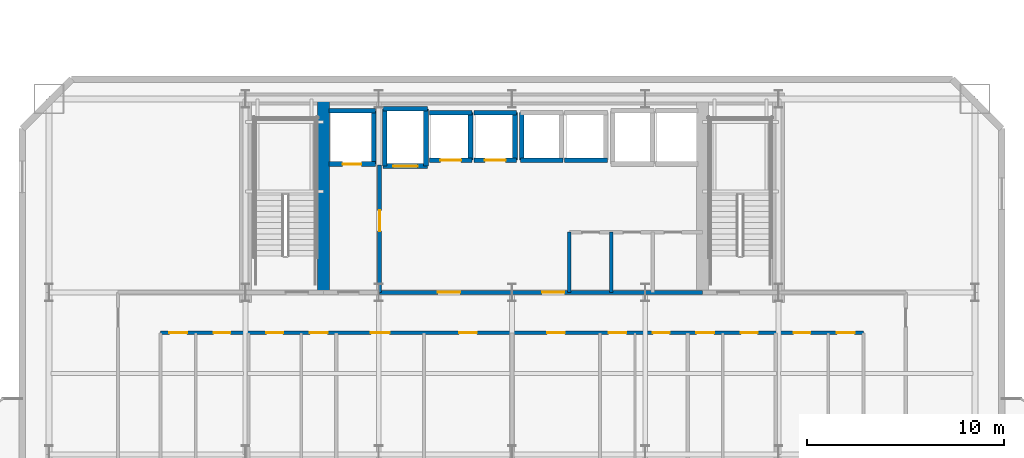
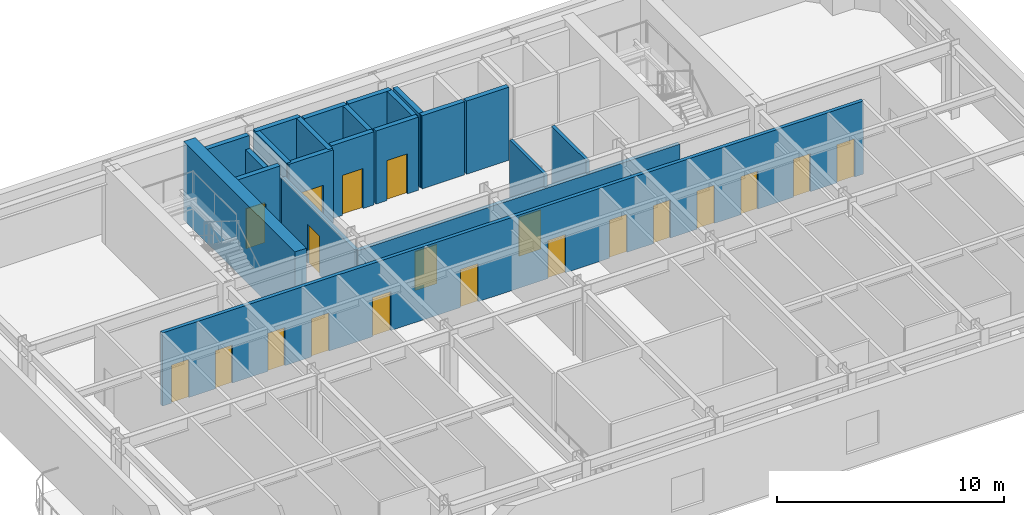
# One storey, part 6 of 15: 22 walls, 20 doors, 20 openings.
"""IFC4 building model written with IfcOpenShell, lengths in metres."""

from ifc_helpers import new_model, si_unit, direction, frame, frame_2d, origin, place, context, subcontext, project, spatial, rectangle, extrude, material, layer, layer_set, type_object, element, fill, save


model = new_model("IFC4")

# Units and contexts
model_context = context("Model", 3, precision=1e-05, world=origin(), true_north=direction((0.0, 1.0)))
body_context = subcontext(model_context, "Body", "Model", "MODEL_VIEW")
ifc_project = project(units=[si_unit("LENGTHUNIT", "METRE"), si_unit("AREAUNIT", "SQUARE_METRE"), si_unit("VOLUMEUNIT", "CUBIC_METRE"), si_unit("PLANEANGLEUNIT", "RADIAN"), si_unit("MASSUNIT", "GRAM", prefix="KILO")], contexts=[model_context])

# Site, building, storey
site_placement = place(None, origin())
site = spatial("IfcSite", under=ifc_project, at=site_placement, CompositionType="ELEMENT")
building_placement = place(site_placement, origin())
building = spatial("IfcBuilding", under=site, at=building_placement, Name="Haevon Station Towers", CompositionType="ELEMENT")
storey_placement = place(building_placement, frame((0.0, 0.0, 73.5)))
storey = spatial("IfcBuildingStorey", under=building, at=storey_placement, Name="L19", CompositionType="ELEMENT", Elevation=73.5)

# Wall, openings, doors
ifc_material_1 = material(Name="Gypsum board on steel stud", Category="steel")
ifc_layer_1 = layer(ifc_material_1, 0.179931640625)
ifc_layer_set_1 = layer_set([ifc_layer_1], Name="Gypsum board on steel stud")
wall_type_1 = type_object("IfcWallType", Name="WL-ACU180", PredefinedType="PARTITIONING", material=ifc_layer_set_1)
wall_1_placement = place(storey_placement, frame((19.699951171875, 36.14990234375, 0.0), z_axis=(0.0, 0.0, 1.0), x_axis=(1.0, 0.0, 0.0)))
wall_1 = element("IfcWall", 1, at=wall_1_placement, inside=storey, type_object=wall_type_1, Name="WL-T1PT-L19-30", PredefinedType="PARTITIONING", context=body_context, shape_type="SweptSolid", body=[
    extrude(rectangle(XDim=35.60009765625, YDim=0.179931640625, at=frame_2d((17.800048828125, 0.0))), origin(), (0.0, 0.0, 1.0), 3.929931640625),
])
opening_1_placement = place(wall_1_placement, frame((2.68994140625, 0.0, 0.0)))
opening_1 = element("IfcOpeningElement", 2, at=opening_1_placement, cuts=wall_1, Name="Opening DR-WL-T1PT-L19-30-01", PredefinedType="OPENING", context=body_context, shape_type="SweptSolid", body=[
    extrude(rectangle(XDim=0.85009765625, YDim=2.050048828125, at=frame_2d((0.425048828125, 1.02490234375))), frame((0.0, 0.099853515625, 0.0), z_axis=(0.0, -1.0, 0.0), x_axis=(1.0, 0.0, 0.0)), (0.0, 0.0, 1.0), 0.199951171875),
])
opening_2_placement = place(wall_1_placement, frame((0.43994140625, 0.0, 0.0)))
opening_2 = element("IfcOpeningElement", 3, at=opening_2_placement, cuts=wall_1, Name="Opening DR-WL-T1PT-L19-30-02", PredefinedType="OPENING", context=body_context, shape_type="SweptSolid", body=[
    extrude(rectangle(XDim=0.89990234375, YDim=2.050048828125, at=frame_2d((0.449951171875, 1.02490234375))), frame((0.0, 0.099853515625, 0.0), z_axis=(0.0, -1.0, 0.0), x_axis=(1.0, 0.0, 0.0)), (0.0, 0.0, 1.0), 0.199951171875),
])
opening_3_placement = place(wall_1_placement, frame((5.360107421875, 0.0, 0.0)))
opening_3 = element("IfcOpeningElement", 4, at=opening_3_placement, cuts=wall_1, Name="Opening DR-WL-T1PT-L19-30-03", PredefinedType="OPENING", context=body_context, shape_type="SweptSolid", body=[
    extrude(rectangle(XDim=0.85009765625, YDim=2.050048828125, at=frame_2d((0.425048828125, 1.02490234375))), frame((0.0, 0.099853515625, 0.0), z_axis=(0.0, -1.0, 0.0), x_axis=(1.0, 0.0, 0.0)), (0.0, 0.0, 1.0), 0.199951171875),
])
opening_4_placement = place(wall_1_placement, frame((7.56005859375, 0.0, 0.0)))
opening_4 = element("IfcOpeningElement", 5, at=opening_4_placement, cuts=wall_1, Name="Opening DR-WL-T1PT-L19-30-04", PredefinedType="OPENING", context=body_context, shape_type="SweptSolid", body=[
    extrude(rectangle(XDim=0.89990234375, YDim=2.050048828125, at=frame_2d((0.449951171875, 1.02490234375))), frame((0.0, 0.099853515625, 0.0), z_axis=(0.0, -1.0, 0.0), x_axis=(1.0, 0.0, 0.0)), (0.0, 0.0, 1.0), 0.199951171875),
])
opening_5_placement = place(wall_1_placement, frame((10.64990234375, 0.0, 0.0)))
opening_5 = element("IfcOpeningElement", 6, at=opening_5_placement, cuts=wall_1, Name="Opening DR-WL-T1PT-L19-30-05", PredefinedType="OPENING", context=body_context, shape_type="SweptSolid", body=[
    extrude(rectangle(XDim=0.949951171875, YDim=2.10009765625, at=frame_2d((0.47509765625, 1.050048828125))), frame((0.0, 0.099853515625, 0.0), z_axis=(0.0, -1.0, 0.0), x_axis=(1.0, 0.0, 0.0)), (0.0, 0.0, 1.0), 0.199951171875),
])
opening_6_placement = place(wall_1_placement, frame((15.125, 0.0, 0.0)))
opening_6 = element("IfcOpeningElement", 7, at=opening_6_placement, cuts=wall_1, Name="Opening DR-WL-T1PT-L19-30-06", PredefinedType="OPENING", context=body_context, shape_type="SweptSolid", body=[
    extrude(rectangle(XDim=0.89990234375, YDim=2.050048828125, at=frame_2d((0.449951171875, 1.02490234375))), frame((0.0, 0.099853515625, 0.0), z_axis=(0.0, -1.0, 0.0), x_axis=(1.0, 0.0, 0.0)), (0.0, 0.0, 1.0), 0.199951171875),
])
opening_7_placement = place(wall_1_placement, frame((19.574951171875, 0.0, 0.0)))
opening_7 = element("IfcOpeningElement", 8, at=opening_7_placement, cuts=wall_1, Name="Opening DR-WL-T1PT-L19-30-07", PredefinedType="OPENING", context=body_context, shape_type="SweptSolid", body=[
    extrude(rectangle(XDim=0.89990234375, YDim=2.050048828125, at=frame_2d((0.449951171875, 1.02490234375))), frame((0.0, 0.099853515625, 0.0), z_axis=(0.0, -1.0, 0.0), x_axis=(1.0, 0.0, 0.0)), (0.0, 0.0, 1.0), 0.199951171875),
])
opening_8_placement = place(wall_1_placement, frame((24.93994140625, 0.0, 0.0)))
opening_8 = element("IfcOpeningElement", 9, at=opening_8_placement, cuts=wall_1, Name="Opening DR-WL-T1PT-L19-30-08", PredefinedType="OPENING", context=body_context, shape_type="SweptSolid", body=[
    extrude(rectangle(XDim=0.85009765625, YDim=2.050048828125, at=frame_2d((0.425048828125, 1.02490234375))), frame((0.0, 0.099853515625, 0.0), z_axis=(0.0, -1.0, 0.0), x_axis=(1.0, 0.0, 0.0)), (0.0, 0.0, 1.0), 0.199951171875),
])
opening_9_placement = place(wall_1_placement, frame((22.68994140625, 0.0, 0.0)))
opening_9 = element("IfcOpeningElement", 10, at=opening_9_placement, cuts=wall_1, Name="Opening DR-WL-T1PT-L19-30-09", PredefinedType="OPENING", context=body_context, shape_type="SweptSolid", body=[
    extrude(rectangle(XDim=0.89990234375, YDim=2.050048828125, at=frame_2d((0.449951171875, 1.02490234375))), frame((0.0, 0.099853515625, 0.0), z_axis=(0.0, -1.0, 0.0), x_axis=(1.0, 0.0, 0.0)), (0.0, 0.0, 1.0), 0.199951171875),
])
opening_10_placement = place(wall_1_placement, frame((29.389892578125, 0.0, 0.0)))
opening_10 = element("IfcOpeningElement", 11, at=opening_10_placement, cuts=wall_1, Name="Opening DR-WL-T1PT-L19-30-10", PredefinedType="OPENING", context=body_context, shape_type="SweptSolid", body=[
    extrude(rectangle(XDim=0.85009765625, YDim=2.050048828125, at=frame_2d((0.425048828125, 1.02490234375))), frame((0.0, 0.099853515625, 0.0), z_axis=(0.0, -1.0, 0.0), x_axis=(1.0, 0.0, 0.0)), (0.0, 0.0, 1.0), 0.199951171875),
])
opening_11_placement = place(wall_1_placement, frame((27.139892578125, 0.0, 0.0)))
opening_11 = element("IfcOpeningElement", 12, at=opening_11_placement, cuts=wall_1, Name="Opening DR-WL-T1PT-L19-30-11", PredefinedType="OPENING", context=body_context, shape_type="SweptSolid", body=[
    extrude(rectangle(XDim=0.89990234375, YDim=2.050048828125, at=frame_2d((0.449951171875, 1.02490234375))), frame((0.0, 0.099853515625, 0.0), z_axis=(0.0, -1.0, 0.0), x_axis=(1.0, 0.0, 0.0)), (0.0, 0.0, 1.0), 0.199951171875),
])
opening_12_placement = place(wall_1_placement, frame((32.06005859375, 0.0, 0.0)))
opening_12 = element("IfcOpeningElement", 13, at=opening_12_placement, cuts=wall_1, Name="Opening DR-WL-T1PT-L19-30-12", PredefinedType="OPENING", context=body_context, shape_type="SweptSolid", body=[
    extrude(rectangle(XDim=0.85009765625, YDim=2.050048828125, at=frame_2d((0.425048828125, 1.02490234375))), frame((0.0, 0.099853515625, 0.0), z_axis=(0.0, -1.0, 0.0), x_axis=(1.0, 0.0, 0.0)), (0.0, 0.0, 1.0), 0.199951171875),
])
opening_13_placement = place(wall_1_placement, frame((34.260009765625, 0.0, 0.0)))
opening_13 = element("IfcOpeningElement", 14, at=opening_13_placement, cuts=wall_1, Name="Opening DR-WL-T1PT-L19-30-13", PredefinedType="OPENING", context=body_context, shape_type="SweptSolid", body=[
    extrude(rectangle(XDim=0.89990234375, YDim=2.050048828125, at=frame_2d((0.449951171875, 1.02490234375))), frame((0.0, 0.099853515625, 0.0), z_axis=(0.0, -1.0, 0.0), x_axis=(1.0, 0.0, 0.0)), (0.0, 0.0, 1.0), 0.199951171875),
])
ifc_material_2 = material(Name="Engineered oak timber", Category="wood")
door_type_1 = type_object("IfcDoorType", Name="DR-FD30-850", OperationType="NOTDEFINED", PredefinedType="DOOR", material=ifc_material_2)
door_1_placement = place(opening_1_placement, origin())
door_1 = element("IfcDoor", 15, at=door_1_placement, inside=storey, type_object=door_type_1, Name="L19 Tower 1 Room Door 30-1", OperationType="SINGLE_SWING_RIGHT", OverallHeight=2.050048828125, OverallWidth=0.85009765625, PredefinedType="DOOR", context=body_context, shape_type="SweptSolid", body=[
    extrude(rectangle(XDim=0.85009765625, YDim=2.050048828125, at=frame_2d((0.425048828125, 1.02490234375))), frame((0.0, 0.02490234375, 0.0), z_axis=(0.0, -1.0, 0.0), x_axis=(1.0, 0.0, 0.0)), (0.0, 0.0, 1.0), 0.050048828125),
])
fill(opening_1, door_1)
door_2_placement = place(opening_3_placement, origin())
door_2 = element("IfcDoor", 16, at=door_2_placement, inside=storey, type_object=door_type_1, Name="L19 Tower 1 Room Door 30-3", OperationType="SINGLE_SWING_RIGHT", OverallHeight=2.050048828125, OverallWidth=0.85009765625, PredefinedType="DOOR", context=body_context, shape_type="SweptSolid", body=[
    extrude(rectangle(XDim=0.85009765625, YDim=2.050048828125, at=frame_2d((0.425048828125, 1.02490234375))), frame((0.0, 0.02490234375, 0.0), z_axis=(0.0, -1.0, 0.0), x_axis=(1.0, 0.0, 0.0)), (0.0, 0.0, 1.0), 0.050048828125),
])
fill(opening_3, door_2)
door_3_placement = place(opening_8_placement, origin())
door_3 = element("IfcDoor", 17, at=door_3_placement, inside=storey, type_object=door_type_1, Name="L19 Tower 1 Room Door 30-8", OperationType="SINGLE_SWING_LEFT", OverallHeight=2.050048828125, OverallWidth=0.85009765625, PredefinedType="DOOR", context=body_context, shape_type="SweptSolid", body=[
    extrude(rectangle(XDim=0.85009765625, YDim=2.050048828125, at=frame_2d((0.425048828125, 1.02490234375))), frame((0.0, 0.02490234375, 0.0), z_axis=(0.0, -1.0, 0.0), x_axis=(1.0, 0.0, 0.0)), (0.0, 0.0, 1.0), 0.050048828125),
])
fill(opening_8, door_3)
door_4_placement = place(opening_10_placement, origin())
door_4 = element("IfcDoor", 18, at=door_4_placement, inside=storey, type_object=door_type_1, Name="L19 Tower 1 Room Door 30-10", OperationType="SINGLE_SWING_LEFT", OverallHeight=2.050048828125, OverallWidth=0.85009765625, PredefinedType="DOOR", context=body_context, shape_type="SweptSolid", body=[
    extrude(rectangle(XDim=0.85009765625, YDim=2.050048828125, at=frame_2d((0.425048828125, 1.02490234375))), frame((0.0, 0.02490234375, 0.0), z_axis=(0.0, -1.0, 0.0), x_axis=(1.0, 0.0, 0.0)), (0.0, 0.0, 1.0), 0.050048828125),
])
fill(opening_10, door_4)
door_5_placement = place(opening_12_placement, origin())
door_5 = element("IfcDoor", 19, at=door_5_placement, inside=storey, type_object=door_type_1, Name="L19 Tower 1 Room Door 30-12", OperationType="SINGLE_SWING_LEFT", OverallHeight=2.050048828125, OverallWidth=0.85009765625, PredefinedType="DOOR", context=body_context, shape_type="SweptSolid", body=[
    extrude(rectangle(XDim=0.85009765625, YDim=2.050048828125, at=frame_2d((0.425048828125, 1.02490234375))), frame((0.0, 0.02490234375, 0.0), z_axis=(0.0, -1.0, 0.0), x_axis=(1.0, 0.0, 0.0)), (0.0, 0.0, 1.0), 0.050048828125),
])
fill(opening_12, door_5)
door_type_2 = type_object("IfcDoorType", Name="DR-FD30-950", OperationType="NOTDEFINED", PredefinedType="DOOR", material=ifc_material_2)
door_6_placement = place(opening_5_placement, origin())
door_6 = element("IfcDoor", 20, at=door_6_placement, inside=storey, type_object=door_type_2, Name="L19 Tower 1 Room Door 30-5", OperationType="SINGLE_SWING_RIGHT", OverallHeight=2.10009765625, OverallWidth=0.949951171875, PredefinedType="DOOR", context=body_context, shape_type="SweptSolid", body=[
    extrude(rectangle(XDim=0.949951171875, YDim=2.10009765625, at=frame_2d((0.47509765625, 1.050048828125))), frame((0.0, 0.02490234375, 0.0), z_axis=(0.0, -1.0, 0.0), x_axis=(1.0, 0.0, 0.0)), (0.0, 0.0, 1.0), 0.050048828125),
])
fill(opening_5, door_6)
door_type_3 = type_object("IfcDoorType", Name="DR-INT-900", OperationType="NOTDEFINED", PredefinedType="DOOR", material=ifc_material_2)
door_7_placement = place(opening_2_placement, origin())
door_7 = element("IfcDoor", 21, at=door_7_placement, inside=storey, type_object=door_type_3, Name="L19 Tower 1 Room Door 30-2", OperationType="SINGLE_SWING_LEFT", OverallHeight=2.050048828125, OverallWidth=0.89990234375, PredefinedType="DOOR", context=body_context, shape_type="SweptSolid", body=[
    extrude(rectangle(XDim=0.89990234375, YDim=2.050048828125, at=frame_2d((0.449951171875, 1.02490234375))), frame((0.0, 0.02490234375, 0.0), z_axis=(0.0, -1.0, 0.0), x_axis=(1.0, 0.0, 0.0)), (0.0, 0.0, 1.0), 0.050048828125),
])
fill(opening_2, door_7)
door_8_placement = place(opening_4_placement, origin())
door_8 = element("IfcDoor", 22, at=door_8_placement, inside=storey, type_object=door_type_3, Name="L19 Tower 1 Room Door 30-4", OperationType="SINGLE_SWING_LEFT", OverallHeight=2.050048828125, OverallWidth=0.89990234375, PredefinedType="DOOR", context=body_context, shape_type="SweptSolid", body=[
    extrude(rectangle(XDim=0.89990234375, YDim=2.050048828125, at=frame_2d((0.449951171875, 1.02490234375))), frame((0.0, 0.02490234375, 0.0), z_axis=(0.0, -1.0, 0.0), x_axis=(1.0, 0.0, 0.0)), (0.0, 0.0, 1.0), 0.050048828125),
])
fill(opening_4, door_8)
door_9_placement = place(opening_6_placement, origin())
door_9 = element("IfcDoor", 23, at=door_9_placement, inside=storey, type_object=door_type_3, Name="L19 Tower 1 Room Door 30-6", OperationType="SINGLE_SWING_LEFT", OverallHeight=2.050048828125, OverallWidth=0.89990234375, PredefinedType="DOOR", context=body_context, shape_type="SweptSolid", body=[
    extrude(rectangle(XDim=0.89990234375, YDim=2.050048828125, at=frame_2d((0.449951171875, 1.02490234375))), frame((0.0, 0.02490234375, 0.0), z_axis=(0.0, -1.0, 0.0), x_axis=(1.0, 0.0, 0.0)), (0.0, 0.0, 1.0), 0.050048828125),
])
fill(opening_6, door_9)
door_10_placement = place(opening_7_placement, origin())
door_10 = element("IfcDoor", 24, at=door_10_placement, inside=storey, type_object=door_type_3, Name="L19 Tower 1 Room Door 30-7", OperationType="SINGLE_SWING_RIGHT", OverallHeight=2.050048828125, OverallWidth=0.89990234375, PredefinedType="DOOR", context=body_context, shape_type="SweptSolid", body=[
    extrude(rectangle(XDim=0.89990234375, YDim=2.050048828125, at=frame_2d((0.449951171875, 1.02490234375))), frame((0.0, 0.02490234375, 0.0), z_axis=(0.0, -1.0, 0.0), x_axis=(1.0, 0.0, 0.0)), (0.0, 0.0, 1.0), 0.050048828125),
])
fill(opening_7, door_10)
door_11_placement = place(opening_9_placement, origin())
door_11 = element("IfcDoor", 25, at=door_11_placement, inside=storey, type_object=door_type_3, Name="L19 Tower 1 Room Door 30-9", OperationType="SINGLE_SWING_RIGHT", OverallHeight=2.050048828125, OverallWidth=0.89990234375, PredefinedType="DOOR", context=body_context, shape_type="SweptSolid", body=[
    extrude(rectangle(XDim=0.89990234375, YDim=2.050048828125, at=frame_2d((0.449951171875, 1.02490234375))), frame((0.0, 0.02490234375, 0.0), z_axis=(0.0, -1.0, 0.0), x_axis=(1.0, 0.0, 0.0)), (0.0, 0.0, 1.0), 0.050048828125),
])
fill(opening_9, door_11)
door_12_placement = place(opening_11_placement, origin())
door_12 = element("IfcDoor", 26, at=door_12_placement, inside=storey, type_object=door_type_3, Name="L19 Tower 1 Room Door 30-11", OperationType="SINGLE_SWING_RIGHT", OverallHeight=2.050048828125, OverallWidth=0.89990234375, PredefinedType="DOOR", context=body_context, shape_type="SweptSolid", body=[
    extrude(rectangle(XDim=0.89990234375, YDim=2.050048828125, at=frame_2d((0.449951171875, 1.02490234375))), frame((0.0, 0.02490234375, 0.0), z_axis=(0.0, -1.0, 0.0), x_axis=(1.0, 0.0, 0.0)), (0.0, 0.0, 1.0), 0.050048828125),
])
fill(opening_11, door_12)
door_13_placement = place(opening_13_placement, origin())
door_13 = element("IfcDoor", 27, at=door_13_placement, inside=storey, type_object=door_type_3, Name="L19 Tower 1 Room Door 30-13", OperationType="SINGLE_SWING_RIGHT", OverallHeight=2.050048828125, OverallWidth=0.89990234375, PredefinedType="DOOR", context=body_context, shape_type="SweptSolid", body=[
    extrude(rectangle(XDim=0.89990234375, YDim=2.050048828125, at=frame_2d((0.449951171875, 1.02490234375))), frame((0.0, 0.02490234375, 0.0), z_axis=(0.0, -1.0, 0.0), x_axis=(1.0, 0.0, 0.0)), (0.0, 0.0, 1.0), 0.050048828125),
])
fill(opening_13, door_13)

# Wall, opening, door
ifc_layer_2 = layer(ifc_material_1, 0.199951171875)
ifc_layer_set_2 = layer_set([ifc_layer_2], Name="Gypsum board on steel stud")
wall_type_2 = type_object("IfcWallType", Name="WL-COR200", PredefinedType="PARTITIONING", material=ifc_layer_set_2)
wall_2_placement = place(storey_placement, frame((30.800048828125, 38.199951171875, 0.0), z_axis=(0.0, 0.0, 1.0), x_axis=(0.0, 1.0, 0.0)))
wall_2 = element("IfcWall", 28, at=wall_2_placement, inside=storey, type_object=wall_type_2, Name="WL-T1FFL-L19-E", PredefinedType="PARTITIONING", context=body_context, shape_type="SweptSolid", body=[
    extrude(rectangle(XDim=6.449951171875, YDim=0.199951171875, at=frame_2d((3.22509765625, 0.0))), origin(), (0.0, 0.0, 1.0), 3.22998046875),
])
opening_14_placement = place(wall_2_placement, frame((3.10009765625, 0.0, 0.0)))
opening_14 = element("IfcOpeningElement", 29, at=opening_14_placement, cuts=wall_2, Name="Opening DR-T1FFL-L19-E", PredefinedType="OPENING", context=body_context, shape_type="SweptSolid", body=[
    extrude(rectangle(XDim=1.050048828125, YDim=2.10009765625, at=frame_2d((0.52490234375, 1.050048828125))), frame((0.0, 0.10986328125, 0.0), z_axis=(0.0, -1.0, 0.0), x_axis=(1.0, 0.0, 0.0)), (0.0, 0.0, 1.0), 0.219970703125),
])
door_type_4 = type_object("IfcDoorType", Name="DR-FD60-1050", OperationType="NOTDEFINED", PredefinedType="DOOR", material=ifc_material_2)
door_14_placement = place(opening_14_placement, origin())
door_14 = element("IfcDoor", 30, at=door_14_placement, inside=storey, type_object=door_type_4, Name="L19 Tower 1 Firefighting Lift Lobby Door E", OperationType="SINGLE_SWING_LEFT", OverallHeight=2.10009765625, OverallWidth=1.050048828125, PredefinedType="DOOR", context=body_context, shape_type="SweptSolid", body=[
    extrude(rectangle(XDim=1.050048828125, YDim=2.10009765625, at=frame_2d((0.52490234375, 1.050048828125))), frame((0.0, 0.02490234375, 0.0), z_axis=(0.0, -1.0, 0.0), x_axis=(1.0, 0.0, 0.0)), (0.0, 0.0, 1.0), 0.050048828125),
])
fill(opening_14, door_14)

# Wall, openings, doors
wall_3_placement = place(storey_placement, frame((30.800048828125, 38.199951171875, 0.0), z_axis=(0.0, 0.0, 1.0), x_axis=(1.0, 0.0, 0.0)))
wall_3 = element("IfcWall", 31, at=wall_3_placement, inside=storey, type_object=wall_type_2, Name="WL-T1CLB-L19", PredefinedType="PARTITIONING", context=body_context, shape_type="SweptSolid", body=[
    extrude(rectangle(XDim=16.349853515625, YDim=0.199951171875, at=frame_2d((8.1748046875, 0.0))), origin(), (0.0, 0.0, 1.0), 3.22998046875),
])
opening_15_placement = place(wall_3_placement, frame((2.949951171875, 0.0, 0.0)))
opening_15 = element("IfcOpeningElement", 32, at=opening_15_placement, cuts=wall_3, Name="Opening DR-T1CLB-L19-1", PredefinedType="OPENING", context=body_context, shape_type="SweptSolid", body=[
    extrude(rectangle(XDim=1.1201171875, YDim=2.10009765625, at=frame_2d((0.56005859375, 1.050048828125))), frame((0.0, 0.10986328125, 0.0), z_axis=(0.0, -1.0, 0.0), x_axis=(1.0, 0.0, 0.0)), (0.0, 0.0, 1.0), 0.219970703125),
])
opening_16_placement = place(wall_3_placement, frame((8.22998046875, 0.0, 0.0)))
opening_16 = element("IfcOpeningElement", 33, at=opening_16_placement, cuts=wall_3, Name="Opening DR-T1CLB-L19-2", PredefinedType="OPENING", context=body_context, shape_type="SweptSolid", body=[
    extrude(rectangle(XDim=1.1201171875, YDim=2.10009765625, at=frame_2d((0.56005859375, 1.050048828125))), frame((0.0, 0.10986328125, 0.0), z_axis=(0.0, -1.0, 0.0), x_axis=(1.0, 0.0, 0.0)), (0.0, 0.0, 1.0), 0.219970703125),
])
door_type_5 = type_object("IfcDoorType", Name="DR-ST-1120", OperationType="NOTDEFINED", PredefinedType="DOOR", material=ifc_material_2)
door_15_placement = place(opening_15_placement, origin())
door_15 = element("IfcDoor", 34, at=door_15_placement, inside=storey, type_object=door_type_5, Name="L19 Tower 1 Core Lift Lobby Door 1", OperationType="SINGLE_SWING_LEFT", OverallHeight=2.10009765625, OverallWidth=1.1201171875, PredefinedType="DOOR", context=body_context, shape_type="SweptSolid", body=[
    extrude(rectangle(XDim=1.1201171875, YDim=2.10009765625, at=frame_2d((0.56005859375, 1.050048828125))), frame((0.0, 0.02490234375, 0.0), z_axis=(0.0, -1.0, 0.0), x_axis=(1.0, 0.0, 0.0)), (0.0, 0.0, 1.0), 0.050048828125),
])
fill(opening_15, door_15)
door_16_placement = place(opening_16_placement, origin())
door_16 = element("IfcDoor", 35, at=door_16_placement, inside=storey, type_object=door_type_5, Name="L19 Tower 1 Core Lift Lobby Door 2", OperationType="SINGLE_SWING_RIGHT", OverallHeight=2.10009765625, OverallWidth=1.1201171875, PredefinedType="DOOR", context=body_context, shape_type="SweptSolid", body=[
    extrude(rectangle(XDim=1.1201171875, YDim=2.10009765625, at=frame_2d((0.56005859375, 1.050048828125))), frame((0.0, 0.02490234375, 0.0), z_axis=(0.0, -1.0, 0.0), x_axis=(1.0, 0.0, 0.0)), (0.0, 0.0, 1.0), 0.050048828125),
])
fill(opening_16, door_16)

# Walls
ifc_material_3 = material(Name="Concrete C60/75", Category="concrete")
ifc_layer_3 = layer(ifc_material_3, 0.60009765625)
ifc_layer_set_3 = layer_set([ifc_layer_3], Name="Concrete C60/75")
wall_type_3 = type_object("IfcWallType", Name="WL-CR600", PredefinedType="SHEAR", material=ifc_layer_set_3)
wall_4_placement = place(storey_placement, frame((27.949951171875, 38.199951171875, 0.0), z_axis=(0.0, 0.0, 1.0), x_axis=(0.0, 1.0, 0.0)))
element("IfcWall", 36, at=wall_4_placement, inside=storey, type_object=wall_type_3, Name="WL-T1CR-L19-M1", PredefinedType="SHEAR", context=body_context, shape_type="SweptSolid", body=[
    extrude(rectangle(XDim=9.800048828125, YDim=0.60009765625, at=frame_2d((4.89990234375, 0.0))), origin(), (0.0, 0.0, 1.0), 4.199951171875),
])
ifc_layer_4 = layer(ifc_material_1, 0.159912109375)
ifc_layer_set_4 = layer_set([ifc_layer_4], Name="Gypsum board on steel stud")
wall_type_4 = type_object("IfcWallType", Name="WL-PRT160", PredefinedType="PARTITIONING", material=ifc_layer_set_4)
for number, where, z_axis, x_axis, name in (
    (37, (40.39990234375, 38.199951171875, 0.0), (0.0, 0.0, 1.0), (0.0, 1.0, 0.0), "WL-T1CW-L19-01"),
    (38, (42.530029296875, 38.199951171875, 0.0), (0.0, 0.0, 1.0), (0.0, 1.0, 0.0), "WL-T1CW-L19-02"),
):
    element("IfcWall", number, at=place(storey_placement, frame(where, z_axis=z_axis, x_axis=x_axis)), inside=storey, type_object=wall_type_4, Name=name, PredefinedType="PARTITIONING", context=body_context, shape_type="SweptSolid", body=[
        extrude(rectangle(XDim=3.050048828125, YDim=0.159912109375, at=frame_2d((1.52490234375, 0.0))), origin(), (0.0, 0.0, 1.0), 3.929931640625),
    ])

# Wall, opening, door
ifc_material_4 = material(Name="Concrete C40/50", Category="concrete")
ifc_layer_5 = layer(ifc_material_4, 0.239990234375)
ifc_layer_set_5 = layer_set([ifc_layer_5], Name="Concrete C40/50")
wall_type_5 = type_object("IfcWallType", Name="WL-SHF240", PredefinedType="PARTITIONING", material=ifc_layer_set_5)
wall_5_placement = place(storey_placement, frame((28.219970703125, 44.699951171875, 0.0), z_axis=(0.0, 0.0, 1.0), x_axis=(1.0, 0.0, 0.0)))
wall_5 = element("IfcWall", 39, at=wall_5_placement, inside=storey, type_object=wall_type_5, Name="WL-SHF-FL1-L19", PredefinedType="PARTITIONING", context=body_context, shape_type="SweptSolid", body=[
    extrude(rectangle(XDim=2.360107421875, YDim=0.239990234375, at=frame_2d((1.18017578125, 0.0))), origin(), (0.0, 0.0, 1.0), 3.929931640625),
])
opening_17_placement = place(wall_5_placement, frame((0.705078125, 0.0, 0.0)))
opening_17 = element("IfcOpeningElement", 40, at=opening_17_placement, cuts=wall_5, Name="Opening LD-FL1-L19", PredefinedType="OPENING", context=body_context, shape_type="SweptSolid", body=[
    extrude(rectangle(XDim=0.949951171875, YDim=2.14990234375, at=frame_2d((0.47509765625, 1.074951171875))), frame((0.0, 0.1298828125, 0.0), z_axis=(0.0, -1.0, 0.0), x_axis=(1.0, 0.0, 0.0)), (0.0, 0.0, 1.0), 0.260009765625),
])
ifc_material_5 = material(Name="Stainless steel and rated core", Category="steel")
door_type_6 = type_object("IfcDoorType", Name="LD-FL950", OperationType="SLIDING_TO_LEFT", PredefinedType="DOOR", material=ifc_material_5)
door_17_placement = place(opening_17_placement, origin())
door_17 = element("IfcDoor", 41, at=door_17_placement, inside=storey, type_object=door_type_6, Name="L19 Lift FL1 Sliding Landing Door", OperationType="SLIDING_TO_LEFT", OverallHeight=2.14990234375, OverallWidth=0.949951171875, PredefinedType="DOOR", context=body_context, shape_type="SweptSolid", body=[
    extrude(rectangle(XDim=0.949951171875, YDim=2.14990234375, at=frame_2d((0.47509765625, 1.074951171875))), frame((0.0, 0.02490234375, 0.0), z_axis=(0.0, -1.0, 0.0), x_axis=(1.0, 0.0, 0.0)), (0.0, 0.0, 1.0), 0.050048828125),
])
fill(opening_17, door_17)

# Walls
wall_6_placement = place(storey_placement, frame((28.219970703125, 47.39990234375, 0.0), z_axis=(0.0, 0.0, 1.0), x_axis=(1.0, 0.0, 0.0)))
element("IfcWall", 42, at=wall_6_placement, inside=storey, type_object=wall_type_5, Name="WL-SHF-FL1-L19-N", PredefinedType="PARTITIONING", context=body_context, shape_type="SweptSolid", body=[
    extrude(rectangle(XDim=2.360107421875, YDim=0.239990234375, at=frame_2d((1.18017578125, 0.0))), origin(), (0.0, 0.0, 1.0), 3.929931640625),
])
wall_7_placement = place(storey_placement, frame((30.5, 44.699951171875, 0.0), z_axis=(0.0, 0.0, 1.0), x_axis=(0.0, 1.0, 0.0)))
element("IfcWall", 43, at=wall_7_placement, inside=storey, type_object=wall_type_5, Name="WL-SHF-FL1-L19-E", PredefinedType="PARTITIONING", context=body_context, shape_type="SweptSolid", body=[
    extrude(rectangle(XDim=2.699951171875, YDim=0.239990234375, at=frame_2d((1.35009765625, 0.0))), origin(), (0.0, 0.0, 1.0), 3.22998046875),
])

# Wall, opening, door
wall_8_placement = place(storey_placement, frame((30.969970703125, 44.60009765625, 0.0), z_axis=(0.0, 0.0, 1.0), x_axis=(1.0, 0.0, 0.0)))
wall_8 = element("IfcWall", 44, at=wall_8_placement, inside=storey, type_object=wall_type_5, Name="WL-SHF-SL1-L19", PredefinedType="PARTITIONING", context=body_context, shape_type="SweptSolid", body=[
    extrude(rectangle(XDim=2.260009765625, YDim=0.239990234375, at=frame_2d((1.1298828125, 0.0))), origin(), (0.0, 0.0, 1.0), 3.929931640625),
])
opening_18_placement = place(wall_8_placement, frame((0.5048828125, 0.0, 0.0)))
opening_18 = element("IfcOpeningElement", 45, at=opening_18_placement, cuts=wall_8, Name="Opening LD-SL1-L19", PredefinedType="OPENING", context=body_context, shape_type="SweptSolid", body=[
    extrude(rectangle(XDim=1.25, YDim=2.199951171875, at=frame_2d((0.625, 1.10009765625))), frame((0.0, 0.1298828125, 0.0), z_axis=(0.0, -1.0, 0.0), x_axis=(1.0, 0.0, 0.0)), (0.0, 0.0, 1.0), 0.260009765625),
])
door_type_7 = type_object("IfcDoorType", Name="LD-SL1250", OperationType="SLIDING_TO_LEFT", PredefinedType="DOOR", material=ifc_material_5)
door_18_placement = place(opening_18_placement, origin())
door_18 = element("IfcDoor", 46, at=door_18_placement, inside=storey, type_object=door_type_7, Name="L19 Lift SL1 Sliding Landing Door", OperationType="SLIDING_TO_LEFT", OverallHeight=2.199951171875, OverallWidth=1.25, PredefinedType="DOOR", context=body_context, shape_type="SweptSolid", body=[
    extrude(rectangle(XDim=1.25, YDim=2.199951171875, at=frame_2d((0.625, 1.10009765625))), frame((0.0, 0.02490234375, 0.0), z_axis=(0.0, -1.0, 0.0), x_axis=(1.0, 0.0, 0.0)), (0.0, 0.0, 1.0), 0.050048828125),
])
fill(opening_18, door_18)

# Walls
wall_9_placement = place(storey_placement, frame((30.969970703125, 47.5, 0.0), z_axis=(0.0, 0.0, 1.0), x_axis=(1.0, 0.0, 0.0)))
element("IfcWall", 47, at=wall_9_placement, inside=storey, type_object=wall_type_5, Name="WL-SHF-SL1-L19-N", PredefinedType="PARTITIONING", context=body_context, shape_type="SweptSolid", body=[
    extrude(rectangle(XDim=2.260009765625, YDim=0.239990234375, at=frame_2d((1.1298828125, 0.0))), origin(), (0.0, 0.0, 1.0), 3.929931640625),
])
for number, where, z_axis, x_axis, name in (
    (48, (31.050048828125, 44.60009765625, 0.0), (0.0, 0.0, 1.0), (0.0, 1.0, 0.0), "WL-SHF-SL1-L19-W"),
    (49, (33.14990234375, 44.60009765625, 0.0), (0.0, 0.0, 1.0), (0.0, 1.0, 0.0), "WL-SHF-SL1-L19-E"),
):
    element("IfcWall", number, at=place(storey_placement, frame(where, z_axis=z_axis, x_axis=x_axis)), inside=storey, type_object=wall_type_5, Name=name, PredefinedType="PARTITIONING", context=body_context, shape_type="SweptSolid", body=[
        extrude(rectangle(XDim=2.89990234375, YDim=0.239990234375, at=frame_2d((1.449951171875, 0.0))), origin(), (0.0, 0.0, 1.0), 3.929931640625),
    ])

# Wall, opening, door
wall_10_placement = place(storey_placement, frame((33.320068359375, 44.89990234375, 0.0), z_axis=(0.0, 0.0, 1.0), x_axis=(1.0, 0.0, 0.0)))
wall_10 = element("IfcWall", 50, at=wall_10_placement, inside=storey, type_object=wall_type_5, Name="WL-SHF-PL1-L19", PredefinedType="PARTITIONING", context=body_context, shape_type="SweptSolid", body=[
    extrude(rectangle(XDim=2.159912109375, YDim=0.239990234375, at=frame_2d((1.080078125, 0.0))), origin(), (0.0, 0.0, 1.0), 3.929931640625),
])
opening_19_placement = place(wall_10_placement, frame((0.554931640625, 0.0, 0.0)))
opening_19 = element("IfcOpeningElement", 51, at=opening_19_placement, cuts=wall_10, Name="Opening LD-PL1-L19", PredefinedType="OPENING", context=body_context, shape_type="SweptSolid", body=[
    extrude(rectangle(XDim=1.050048828125, YDim=2.14990234375, at=frame_2d((0.52490234375, 1.074951171875))), frame((0.0, 0.1298828125, 0.0), z_axis=(0.0, -1.0, 0.0), x_axis=(1.0, 0.0, 0.0)), (0.0, 0.0, 1.0), 0.260009765625),
])
door_type_8 = type_object("IfcDoorType", Name="LD-PL1050", OperationType="SLIDING_TO_LEFT", PredefinedType="DOOR", material=ifc_material_5)
door_19_placement = place(opening_19_placement, origin())
door_19 = element("IfcDoor", 52, at=door_19_placement, inside=storey, type_object=door_type_8, Name="L19 Lift PL1 Sliding Landing Door", OperationType="SLIDING_TO_LEFT", OverallHeight=2.14990234375, OverallWidth=1.050048828125, PredefinedType="DOOR", context=body_context, shape_type="SweptSolid", body=[
    extrude(rectangle(XDim=1.050048828125, YDim=2.14990234375, at=frame_2d((0.52490234375, 1.074951171875))), frame((0.0, 0.02490234375, 0.0), z_axis=(0.0, -1.0, 0.0), x_axis=(1.0, 0.0, 0.0)), (0.0, 0.0, 1.0), 0.050048828125),
])
fill(opening_19, door_19)

# Walls
wall_11_placement = place(storey_placement, frame((33.320068359375, 47.300048828125, 0.0), z_axis=(0.0, 0.0, 1.0), x_axis=(1.0, 0.0, 0.0)))
element("IfcWall", 53, at=wall_11_placement, inside=storey, type_object=wall_type_5, Name="WL-SHF-PL1-L19-N", PredefinedType="PARTITIONING", context=body_context, shape_type="SweptSolid", body=[
    extrude(rectangle(XDim=2.159912109375, YDim=0.239990234375, at=frame_2d((1.080078125, 0.0))), origin(), (0.0, 0.0, 1.0), 3.929931640625),
])
wall_12_placement = place(storey_placement, frame((35.39990234375, 44.89990234375, 0.0), z_axis=(0.0, 0.0, 1.0), x_axis=(0.0, 1.0, 0.0)))
element("IfcWall", 54, at=wall_12_placement, inside=storey, type_object=wall_type_5, Name="WL-SHF-PL1-L19-E", PredefinedType="PARTITIONING", context=body_context, shape_type="SweptSolid", body=[
    extrude(rectangle(XDim=2.400146484375, YDim=0.239990234375, at=frame_2d((1.2001953125, 0.0))), origin(), (0.0, 0.0, 1.0), 3.929931640625),
])

# Wall, opening, door
wall_13_placement = place(storey_placement, frame((35.570068359375, 44.89990234375, 0.0), z_axis=(0.0, 0.0, 1.0), x_axis=(1.0, 0.0, 0.0)))
wall_13 = element("IfcWall", 55, at=wall_13_placement, inside=storey, type_object=wall_type_5, Name="WL-SHF-PL2-L19", PredefinedType="PARTITIONING", context=body_context, shape_type="SweptSolid", body=[
    extrude(rectangle(XDim=2.159912109375, YDim=0.239990234375, at=frame_2d((1.080078125, 0.0))), origin(), (0.0, 0.0, 1.0), 3.929931640625),
])
opening_20_placement = place(wall_13_placement, frame((0.554931640625, 0.0, 0.0)))
opening_20 = element("IfcOpeningElement", 56, at=opening_20_placement, cuts=wall_13, Name="Opening LD-PL2-L19", PredefinedType="OPENING", context=body_context, shape_type="SweptSolid", body=[
    extrude(rectangle(XDim=1.050048828125, YDim=2.14990234375, at=frame_2d((0.52490234375, 1.074951171875))), frame((0.0, 0.1298828125, 0.0), z_axis=(0.0, -1.0, 0.0), x_axis=(1.0, 0.0, 0.0)), (0.0, 0.0, 1.0), 0.260009765625),
])
door_20_placement = place(opening_20_placement, origin())
door_20 = element("IfcDoor", 57, at=door_20_placement, inside=storey, type_object=door_type_8, Name="L19 Lift PL2 Sliding Landing Door", OperationType="SLIDING_TO_LEFT", OverallHeight=2.14990234375, OverallWidth=1.050048828125, PredefinedType="DOOR", context=body_context, shape_type="SweptSolid", body=[
    extrude(rectangle(XDim=1.050048828125, YDim=2.14990234375, at=frame_2d((0.52490234375, 1.074951171875))), frame((0.0, 0.02490234375, 0.0), z_axis=(0.0, -1.0, 0.0), x_axis=(1.0, 0.0, 0.0)), (0.0, 0.0, 1.0), 0.050048828125),
])
fill(opening_20, door_20)

# Walls
wall_14_placement = place(storey_placement, frame((35.570068359375, 47.300048828125, 0.0), z_axis=(0.0, 0.0, 1.0), x_axis=(1.0, 0.0, 0.0)))
element("IfcWall", 58, at=wall_14_placement, inside=storey, type_object=wall_type_5, Name="WL-SHF-PL2-L19-N", PredefinedType="PARTITIONING", context=body_context, shape_type="SweptSolid", body=[
    extrude(rectangle(XDim=2.159912109375, YDim=0.239990234375, at=frame_2d((1.080078125, 0.0))), origin(), (0.0, 0.0, 1.0), 3.929931640625),
])
wall_15_placement = place(storey_placement, frame((37.64990234375, 44.89990234375, 0.0), z_axis=(0.0, 0.0, 1.0), x_axis=(0.0, 1.0, 0.0)))
element("IfcWall", 59, at=wall_15_placement, inside=storey, type_object=wall_type_5, Name="WL-SHF-PL2-L19-E", PredefinedType="PARTITIONING", context=body_context, shape_type="SweptSolid", body=[
    extrude(rectangle(XDim=2.400146484375, YDim=0.239990234375, at=frame_2d((1.2001953125, 0.0))), origin(), (0.0, 0.0, 1.0), 3.929931640625),
])
wall_16_placement = place(storey_placement, frame((37.919921875, 44.89990234375, 0.0), z_axis=(0.0, 0.0, 1.0), x_axis=(1.0, 0.0, 0.0)))
element("IfcWall", 60, at=wall_16_placement, inside=storey, type_object=wall_type_5, Name="WL-SHF-PL3-L19", PredefinedType="PARTITIONING", context=body_context, shape_type="SweptSolid", body=[
    extrude(rectangle(XDim=2.16015625, YDim=0.239990234375, at=frame_2d((1.080078125, 0.0))), origin(), (0.0, 0.0, 1.0), 3.929931640625),
])
wall_17_placement = place(storey_placement, frame((38.0, 44.89990234375, 0.0), z_axis=(0.0, 0.0, 1.0), x_axis=(0.0, 1.0, 0.0)))
element("IfcWall", 61, at=wall_17_placement, inside=storey, type_object=wall_type_5, Name="WL-SHF-PL3-L19-W", PredefinedType="PARTITIONING", context=body_context, shape_type="SweptSolid", body=[
    extrude(rectangle(XDim=2.400146484375, YDim=0.239990234375, at=frame_2d((1.2001953125, 0.0))), origin(), (0.0, 0.0, 1.0), 3.929931640625),
])
wall_18_placement = place(storey_placement, frame((40.169921875, 44.89990234375, 0.0), z_axis=(0.0, 0.0, 1.0), x_axis=(1.0, 0.0, 0.0)))
element("IfcWall", 62, at=wall_18_placement, inside=storey, type_object=wall_type_5, Name="WL-SHF-PL4-L19", PredefinedType="PARTITIONING", context=body_context, shape_type="SweptSolid", body=[
    extrude(rectangle(XDim=2.16015625, YDim=0.239990234375, at=frame_2d((1.080078125, 0.0))), origin(), (0.0, 0.0, 1.0), 3.929931640625),
])

save(model, "model.ifc")
